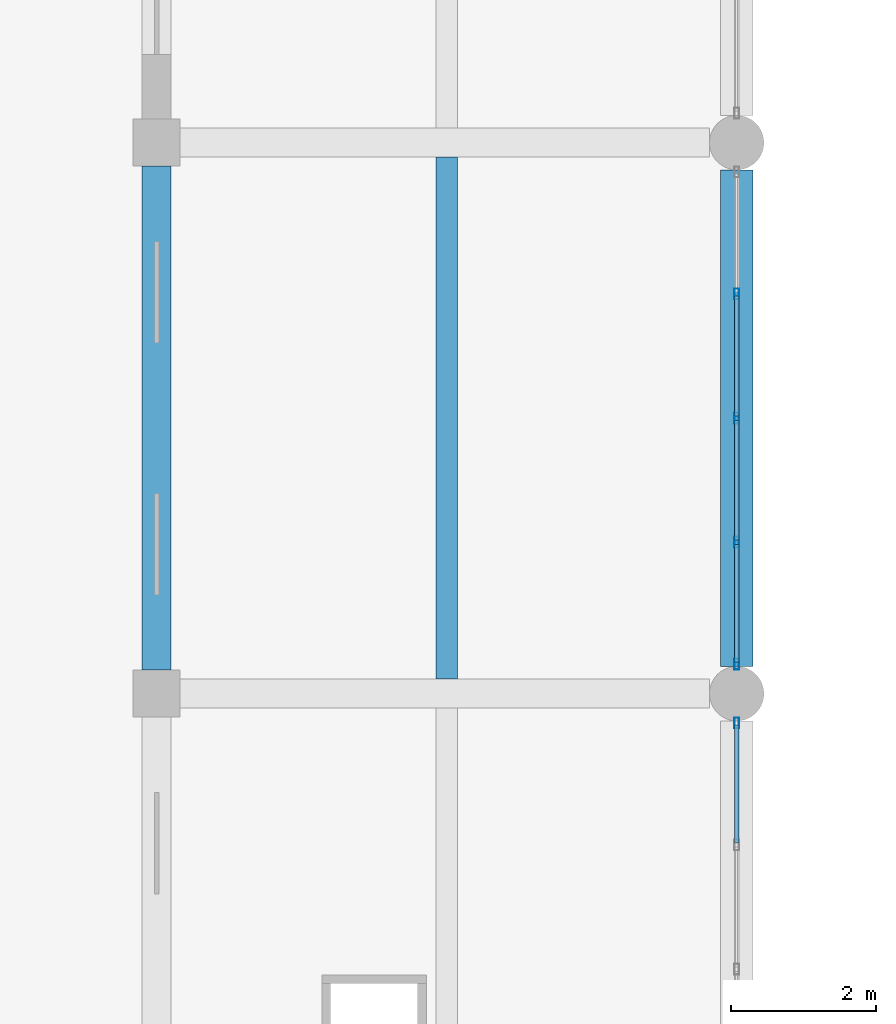
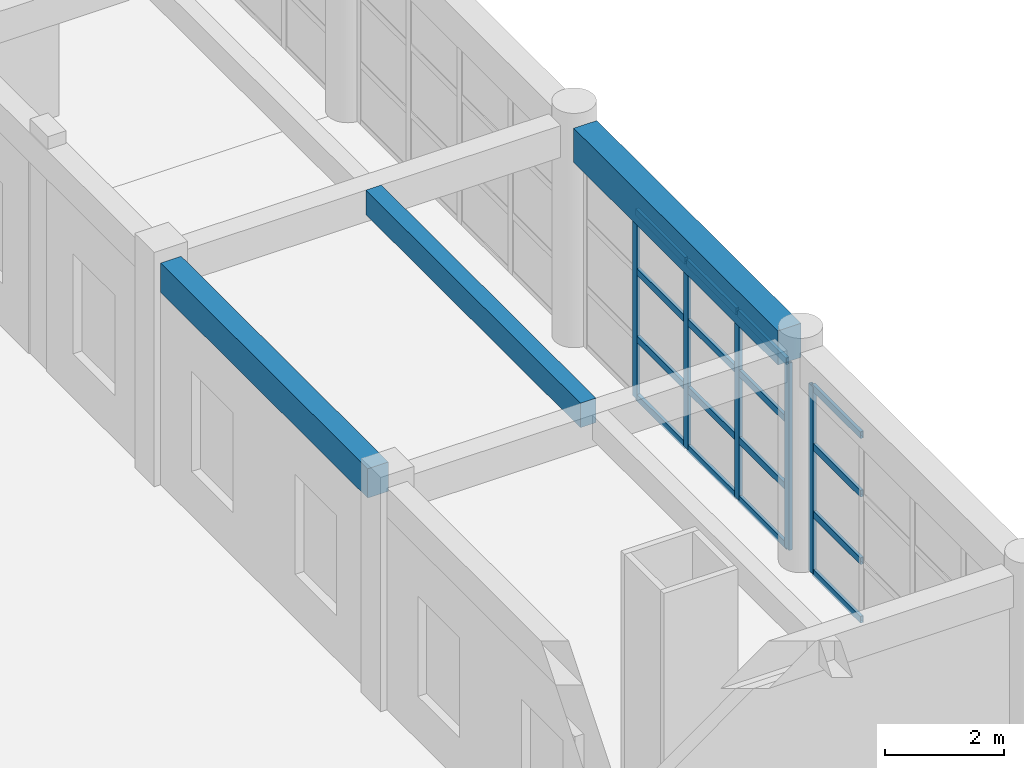
# One storey, part 10 of 101: 21 members, 3 beams, 2 elements without a shape of their own.
"""IFC4 building model written with IfcOpenShell, lengths in metres."""

from ifc_helpers import new_model, si_unit, direction, frame, origin, origin_2d, place, context, subcontext, project, spatial, rectangle, hollow_rectangle, extrude, material, material_profile, profile_set, type_object, element, aggregate, save


model = new_model("IFC4")

# Units and contexts
model_context = context("Model", 3, precision=1e-05, world=origin(), true_north=direction((0.0, 1.0)))
body_context = subcontext(model_context, "Body", "Model", "MODEL_VIEW")
ifc_project = project(units=[si_unit("LENGTHUNIT", "METRE"), si_unit("AREAUNIT", "SQUARE_METRE"), si_unit("VOLUMEUNIT", "CUBIC_METRE"), si_unit("PLANEANGLEUNIT", "RADIAN"), si_unit("MASSUNIT", "GRAM", prefix="KILO")], contexts=[model_context])

# Site, building, storey
site_placement = place(None, origin())
site = spatial("IfcSite", under=ifc_project, at=site_placement, CompositionType="ELEMENT")
building_placement = place(site_placement, origin())
building = spatial("IfcBuilding", under=site, at=building_placement, Name="Zantavel Square City Hall", CompositionType="ELEMENT")
storey_placement = place(building_placement, frame((0.0, 0.0, 5.39990234375)))
storey = spatial("IfcBuildingStorey", under=building, at=storey_placement, Name="L02", CompositionType="ELEMENT", Elevation=5.39990234375)

# Curtain wall, members
ifc_material_1 = material(Name="Anodised aluminium 6063-T6", Category="aluminium")
curtain_wall_type = type_object("IfcCurtainWallType", Name="Curtain Wall CRT 6850x3840", PredefinedType="USERDEFINED", material=ifc_material_1)
curtain_wall_1_placement = place(storey_placement, origin())
curtain_wall_1 = element("IfcCurtainWall", 1, at=curtain_wall_1_placement, inside=storey, type_object=curtain_wall_type, Name="L02 Glazed Curtain Wall CW-L02-071", ObjectType="GLAZED CURTAIN WALL", PredefinedType="USERDEFINED")
ifc_material_profile_1 = material_profile(ifc_material_1, hollow_rectangle(XDim=0.06494140625, YDim=0.14990234375, WallThickness=0.00390625, at=origin_2d()), Name="ALU 65x150x4")
ifc_profile_set_1 = profile_set([ifc_material_profile_1], Name="Anodised aluminium 6063-T6")
member_type_1 = type_object("IfcMemberType", Name="CW Mullion ALU 65x150x4", PredefinedType="MULLION", material=ifc_profile_set_1)
member_1_placement = place(storey_placement, frame((16.0, 51.112548828125, 0.0), z_axis=(0.0, 0.0, 1.0), x_axis=(1.0, 0.0, 0.0)))
member_1 = element("IfcMember", 2, at=member_1_placement, type_object=member_type_1, Name="CW-071 mullion 2", PredefinedType="MULLION", context=body_context, shape_type="SweptSolid", body=[
    extrude(hollow_rectangle(XDim=0.06494140625, YDim=0.14990234375, WallThickness=0.00390625, at=origin_2d()), origin(), (0.0, 0.0, 1.0), 3.840087890625),
])
member_2_placement = place(storey_placement, frame((16.0, 49.39990234375, 0.0), z_axis=(0.0, 0.0, 1.0), x_axis=(1.0, 0.0, 0.0)))
member_2 = element("IfcMember", 3, at=member_2_placement, type_object=member_type_1, Name="CW-071 mullion 3", PredefinedType="MULLION", context=body_context, shape_type="SweptSolid", body=[
    extrude(hollow_rectangle(XDim=0.06494140625, YDim=0.14990234375, WallThickness=0.00390625, at=origin_2d()), origin(), (0.0, 0.0, 1.0), 3.840087890625),
])
member_3_placement = place(storey_placement, frame((16.0, 47.6875, 0.0), z_axis=(0.0, 0.0, 1.0), x_axis=(1.0, 0.0, 0.0)))
member_3 = element("IfcMember", 4, at=member_3_placement, type_object=member_type_1, Name="CW-071 mullion 4", PredefinedType="MULLION", context=body_context, shape_type="SweptSolid", body=[
    extrude(hollow_rectangle(XDim=0.06494140625, YDim=0.14990234375, WallThickness=0.00390625, at=origin_2d()), origin(), (0.0, 0.0, 1.0), 3.840087890625),
])
member_4_placement = place(storey_placement, frame((16.0, 46.0048828125, 0.0), z_axis=(0.0, 0.0, 1.0), x_axis=(1.0, 0.0, 0.0)))
member_4 = element("IfcMember", 5, at=member_4_placement, type_object=member_type_1, Name="CW-071 mullion 5", PredefinedType="MULLION", context=body_context, shape_type="SweptSolid", body=[
    extrude(hollow_rectangle(XDim=0.06494140625, YDim=0.14990234375, WallThickness=0.00390625, at=origin_2d()), origin(), (0.0, 0.0, 1.0), 3.840087890625),
])

# Curtain wall, member
curtain_wall_2_placement = place(storey_placement, origin())
curtain_wall_2 = element("IfcCurtainWall", 6, at=curtain_wall_2_placement, inside=storey, type_object=curtain_wall_type, Name="L02 Glazed Curtain Wall CW-L02-072", ObjectType="GLAZED CURTAIN WALL", PredefinedType="USERDEFINED")
member_5_placement = place(storey_placement, frame((16.0, 45.195068359375, 0.0), z_axis=(0.0, 0.0, 1.0), x_axis=(1.0, 0.0, 0.0)))
member_5 = element("IfcMember", 7, at=member_5_placement, type_object=member_type_1, Name="CW-072 mullion 1", PredefinedType="MULLION", context=body_context, shape_type="SweptSolid", body=[
    extrude(hollow_rectangle(XDim=0.06494140625, YDim=0.14990234375, WallThickness=0.00390625, at=origin_2d()), origin(), (0.0, 0.0, 1.0), 3.840087890625),
])

# Member
ifc_material_profile_2 = material_profile(ifc_material_1, hollow_rectangle(XDim=0.06005859375, YDim=0.139892578125, WallThickness=0.00390625, at=origin_2d()), Name="ALU 60x140x4")
ifc_profile_set_2 = profile_set([ifc_material_profile_2], Name="Anodised aluminium 6063-T6")
member_type_2 = type_object("IfcMemberType", Name="CW Transom ALU 60x140x4", PredefinedType="USERDEFINED", material=ifc_profile_set_2)
member_6_placement = place(storey_placement, frame((16.0, 51.08251953125, 0.030029296875), z_axis=(0.0, -1.0, 0.0), x_axis=(1.0, 0.0, 0.0)))
member_6 = element("IfcMember", 8, at=member_6_placement, type_object=member_type_2, Name="CW-071 transom 2.1", ObjectType="TRANSOM", PredefinedType="USERDEFINED", context=body_context, shape_type="SweptSolid", body=[
    extrude(hollow_rectangle(XDim=0.06005859375, YDim=0.139892578125, WallThickness=0.00390625, at=origin_2d()), origin(), (0.0, 0.0, 1.0), 1.652587890625),
])

member_7_placement = place(storey_placement, frame((16.0, 51.08251953125, 1.22900390625), z_axis=(0.0, -1.0, 0.0), x_axis=(1.0, 0.0, 0.0)))
member_7 = element("IfcMember", 9, at=member_7_placement, type_object=member_type_2, Name="CW-071 transom 2.2", ObjectType="TRANSOM", PredefinedType="USERDEFINED", context=body_context, shape_type="SweptSolid", body=[
    extrude(hollow_rectangle(XDim=0.06005859375, YDim=0.139892578125, WallThickness=0.00390625, at=origin_2d()), origin(), (0.0, 0.0, 1.0), 1.652587890625),
])

member_8_placement = place(storey_placement, frame((16.0, 51.08251953125, 2.611083984375), z_axis=(0.0, -1.0, 0.0), x_axis=(1.0, 0.0, 0.0)))
member_8 = element("IfcMember", 10, at=member_8_placement, type_object=member_type_2, Name="CW-071 transom 2.3", ObjectType="TRANSOM", PredefinedType="USERDEFINED", context=body_context, shape_type="SweptSolid", body=[
    extrude(hollow_rectangle(XDim=0.06005859375, YDim=0.139892578125, WallThickness=0.00390625, at=origin_2d()), origin(), (0.0, 0.0, 1.0), 1.652587890625),
])

member_9_placement = place(storey_placement, frame((16.0, 51.08251953125, 3.81005859375), z_axis=(0.0, -1.0, 0.0), x_axis=(1.0, 0.0, 0.0)))
member_9 = element("IfcMember", 11, at=member_9_placement, type_object=member_type_2, Name="CW-071 transom 2.4", ObjectType="TRANSOM", PredefinedType="USERDEFINED", context=body_context, shape_type="SweptSolid", body=[
    extrude(hollow_rectangle(XDim=0.06005859375, YDim=0.139892578125, WallThickness=0.00390625, at=origin_2d()), origin(), (0.0, 0.0, 1.0), 1.652587890625),
])

member_10_placement = place(storey_placement, frame((16.0, 49.3701171875, 0.030029296875), z_axis=(0.0, -1.0, 0.0), x_axis=(1.0, 0.0, 0.0)))
member_10 = element("IfcMember", 12, at=member_10_placement, type_object=member_type_2, Name="CW-071 transom 3.1", ObjectType="TRANSOM", PredefinedType="USERDEFINED", context=body_context, shape_type="SweptSolid", body=[
    extrude(hollow_rectangle(XDim=0.06005859375, YDim=0.139892578125, WallThickness=0.00390625, at=origin_2d()), origin(), (0.0, 0.0, 1.0), 1.652587890625),
])

member_11_placement = place(storey_placement, frame((16.0, 49.3701171875, 1.22900390625), z_axis=(0.0, -1.0, 0.0), x_axis=(1.0, 0.0, 0.0)))
member_11 = element("IfcMember", 13, at=member_11_placement, type_object=member_type_2, Name="CW-071 transom 3.2", ObjectType="TRANSOM", PredefinedType="USERDEFINED", context=body_context, shape_type="SweptSolid", body=[
    extrude(hollow_rectangle(XDim=0.06005859375, YDim=0.139892578125, WallThickness=0.00390625, at=origin_2d()), origin(), (0.0, 0.0, 1.0), 1.652587890625),
])

member_12_placement = place(storey_placement, frame((16.0, 49.3701171875, 2.611083984375), z_axis=(0.0, -1.0, 0.0), x_axis=(1.0, 0.0, 0.0)))
member_12 = element("IfcMember", 14, at=member_12_placement, type_object=member_type_2, Name="CW-071 transom 3.3", ObjectType="TRANSOM", PredefinedType="USERDEFINED", context=body_context, shape_type="SweptSolid", body=[
    extrude(hollow_rectangle(XDim=0.06005859375, YDim=0.139892578125, WallThickness=0.00390625, at=origin_2d()), origin(), (0.0, 0.0, 1.0), 1.652587890625),
])

member_13_placement = place(storey_placement, frame((16.0, 49.3701171875, 3.81005859375), z_axis=(0.0, -1.0, 0.0), x_axis=(1.0, 0.0, 0.0)))
member_13 = element("IfcMember", 15, at=member_13_placement, type_object=member_type_2, Name="CW-071 transom 3.4", ObjectType="TRANSOM", PredefinedType="USERDEFINED", context=body_context, shape_type="SweptSolid", body=[
    extrude(hollow_rectangle(XDim=0.06005859375, YDim=0.139892578125, WallThickness=0.00390625, at=origin_2d()), origin(), (0.0, 0.0, 1.0), 1.652587890625),
])

member_14_placement = place(storey_placement, frame((16.0, 47.657470703125, 0.030029296875), z_axis=(0.0, -1.0, 0.0), x_axis=(1.0, 0.0, 0.0)))
member_14 = element("IfcMember", 16, at=member_14_placement, type_object=member_type_2, Name="CW-071 transom 4.1", ObjectType="TRANSOM", PredefinedType="USERDEFINED", context=body_context, shape_type="SweptSolid", body=[
    extrude(hollow_rectangle(XDim=0.06005859375, YDim=0.139892578125, WallThickness=0.00390625, at=origin_2d()), origin(), (0.0, 0.0, 1.0), 1.62255859375),
])

member_15_placement = place(storey_placement, frame((16.0, 47.657470703125, 1.22900390625), z_axis=(0.0, -1.0, 0.0), x_axis=(1.0, 0.0, 0.0)))
member_15 = element("IfcMember", 17, at=member_15_placement, type_object=member_type_2, Name="CW-071 transom 4.2", ObjectType="TRANSOM", PredefinedType="USERDEFINED", context=body_context, shape_type="SweptSolid", body=[
    extrude(hollow_rectangle(XDim=0.06005859375, YDim=0.139892578125, WallThickness=0.00390625, at=origin_2d()), origin(), (0.0, 0.0, 1.0), 1.62255859375),
])

member_16_placement = place(storey_placement, frame((16.0, 47.657470703125, 2.611083984375), z_axis=(0.0, -1.0, 0.0), x_axis=(1.0, 0.0, 0.0)))
member_16 = element("IfcMember", 18, at=member_16_placement, type_object=member_type_2, Name="CW-071 transom 4.3", ObjectType="TRANSOM", PredefinedType="USERDEFINED", context=body_context, shape_type="SweptSolid", body=[
    extrude(hollow_rectangle(XDim=0.06005859375, YDim=0.139892578125, WallThickness=0.00390625, at=origin_2d()), origin(), (0.0, 0.0, 1.0), 1.62255859375),
])

member_17_placement = place(storey_placement, frame((16.0, 47.657470703125, 3.81005859375), z_axis=(0.0, -1.0, 0.0), x_axis=(1.0, 0.0, 0.0)))
member_17 = element("IfcMember", 19, at=member_17_placement, type_object=member_type_2, Name="CW-071 transom 4.4", ObjectType="TRANSOM", PredefinedType="USERDEFINED", context=body_context, shape_type="SweptSolid", body=[
    extrude(hollow_rectangle(XDim=0.06005859375, YDim=0.139892578125, WallThickness=0.00390625, at=origin_2d()), origin(), (0.0, 0.0, 1.0), 1.62255859375),
])

aggregate(curtain_wall_1, [member_1, member_2, member_3, member_4, member_6, member_7, member_8, member_9, member_10, member_11, member_12, member_13, member_14, member_15, member_16, member_17])

member_18_placement = place(storey_placement, frame((16.0, 45.1650390625, 0.030029296875), z_axis=(0.0, -1.0, 0.0), x_axis=(1.0, 0.0, 0.0)))
member_18 = element("IfcMember", 20, at=member_18_placement, type_object=member_type_2, Name="CW-072 transom 1.1", ObjectType="TRANSOM", PredefinedType="USERDEFINED", context=body_context, shape_type="SweptSolid", body=[
    extrude(hollow_rectangle(XDim=0.06005859375, YDim=0.139892578125, WallThickness=0.00390625, at=origin_2d()), origin(), (0.0, 0.0, 1.0), 1.62255859375),
])

member_19_placement = place(storey_placement, frame((16.0, 45.1650390625, 1.22900390625), z_axis=(0.0, -1.0, 0.0), x_axis=(1.0, 0.0, 0.0)))
member_19 = element("IfcMember", 21, at=member_19_placement, type_object=member_type_2, Name="CW-072 transom 1.2", ObjectType="TRANSOM", PredefinedType="USERDEFINED", context=body_context, shape_type="SweptSolid", body=[
    extrude(hollow_rectangle(XDim=0.06005859375, YDim=0.139892578125, WallThickness=0.00390625, at=origin_2d()), origin(), (0.0, 0.0, 1.0), 1.62255859375),
])

member_20_placement = place(storey_placement, frame((16.0, 45.1650390625, 2.611083984375), z_axis=(0.0, -1.0, 0.0), x_axis=(1.0, 0.0, 0.0)))
member_20 = element("IfcMember", 22, at=member_20_placement, type_object=member_type_2, Name="CW-072 transom 1.3", ObjectType="TRANSOM", PredefinedType="USERDEFINED", context=body_context, shape_type="SweptSolid", body=[
    extrude(hollow_rectangle(XDim=0.06005859375, YDim=0.139892578125, WallThickness=0.00390625, at=origin_2d()), origin(), (0.0, 0.0, 1.0), 1.62255859375),
])

member_21_placement = place(storey_placement, frame((16.0, 45.1650390625, 3.81005859375), z_axis=(0.0, -1.0, 0.0), x_axis=(1.0, 0.0, 0.0)))
member_21 = element("IfcMember", 23, at=member_21_placement, type_object=member_type_2, Name="CW-072 transom 1.4", ObjectType="TRANSOM", PredefinedType="USERDEFINED", context=body_context, shape_type="SweptSolid", body=[
    extrude(hollow_rectangle(XDim=0.06005859375, YDim=0.139892578125, WallThickness=0.00390625, at=origin_2d()), origin(), (0.0, 0.0, 1.0), 1.62255859375),
])

aggregate(curtain_wall_2, [member_5, member_18, member_19, member_20, member_21])

# Beams
ifc_material_2 = material(Name="Concrete C35/45", Category="concrete")
ifc_material_profile_3 = material_profile(ifc_material_2, rectangle(XDim=0.300048828125, YDim=0.5, at=origin_2d()), Name="RC 300x500")
ifc_profile_set_3 = profile_set([ifc_material_profile_3], Name="Concrete C35/45")
beam_type_1 = type_object("IfcBeamType", Name="Floor Joist RC 300x500 C35/45", PredefinedType="JOIST", material=ifc_profile_set_3)
beam_1_placement = place(storey_placement, frame((12.0, 45.800048828125, 4.2900390625), z_axis=(0.0, 1.0, 0.0), x_axis=(-1.0, 0.0, 0.0)))
element("IfcBeam", 24, at=beam_1_placement, inside=storey, type_object=beam_type_1, Name="L02 Floor Joist JST-L02-0120-0456", PredefinedType="JOIST", context=body_context, shape_type="SweptSolid", body=[
    extrude(rectangle(XDim=0.300048828125, YDim=0.5, at=origin_2d()), origin(), (0.0, 0.0, 1.0), 7.199951171875),
])
ifc_material_profile_4 = material_profile(ifc_material_2, rectangle(XDim=0.39990234375, YDim=0.60009765625, at=origin_2d()), Name="RC 400x600")
ifc_profile_set_4 = profile_set([ifc_material_profile_4], Name="Concrete C35/45")
beam_type_2 = type_object("IfcBeamType", Name="Perimeter Spandrel RC 400x600 C35/45", PredefinedType="SPANDREL", material=ifc_profile_set_4)
beam_2_placement = place(storey_placement, frame((8.0, 45.925048828125, 4.239990234375), z_axis=(0.0, 1.0, 0.0), x_axis=(-1.0, 0.0, 0.0)))
element("IfcBeam", 25, at=beam_2_placement, inside=storey, type_object=beam_type_2, Name="L02 Beam BMY-L02-0080-0456", PredefinedType="SPANDREL", context=body_context, shape_type="SweptSolid", body=[
    extrude(rectangle(XDim=0.39990234375, YDim=0.60009765625, at=origin_2d()), origin(), (0.0, 0.0, 1.0), 6.949951171875),
])
ifc_material_profile_5 = material_profile(ifc_material_2, rectangle(XDim=0.449951171875, YDim=0.699951171875, at=origin_2d()), Name="RC 450x700")
ifc_profile_set_5 = profile_set([ifc_material_profile_5], Name="Concrete C35/45")
beam_type_3 = type_object("IfcBeamType", Name="Primary Girder RC 450x700 C35/45", PredefinedType="BEAM", material=ifc_profile_set_5)
beam_3_placement = place(storey_placement, frame((16.0, 45.97509765625, 4.190185546875), z_axis=(0.0, 1.0, 0.0), x_axis=(-1.0, 0.0, 0.0)))
element("IfcBeam", 26, at=beam_3_placement, inside=storey, type_object=beam_type_3, Name="L02 Beam BMY-L02-0160-0456", PredefinedType="BEAM", context=body_context, shape_type="SweptSolid", body=[
    extrude(rectangle(XDim=0.449951171875, YDim=0.699951171875, at=origin_2d()), origin(), (0.0, 0.0, 1.0), 6.849853515625),
])

save(model, "model.ifc")
